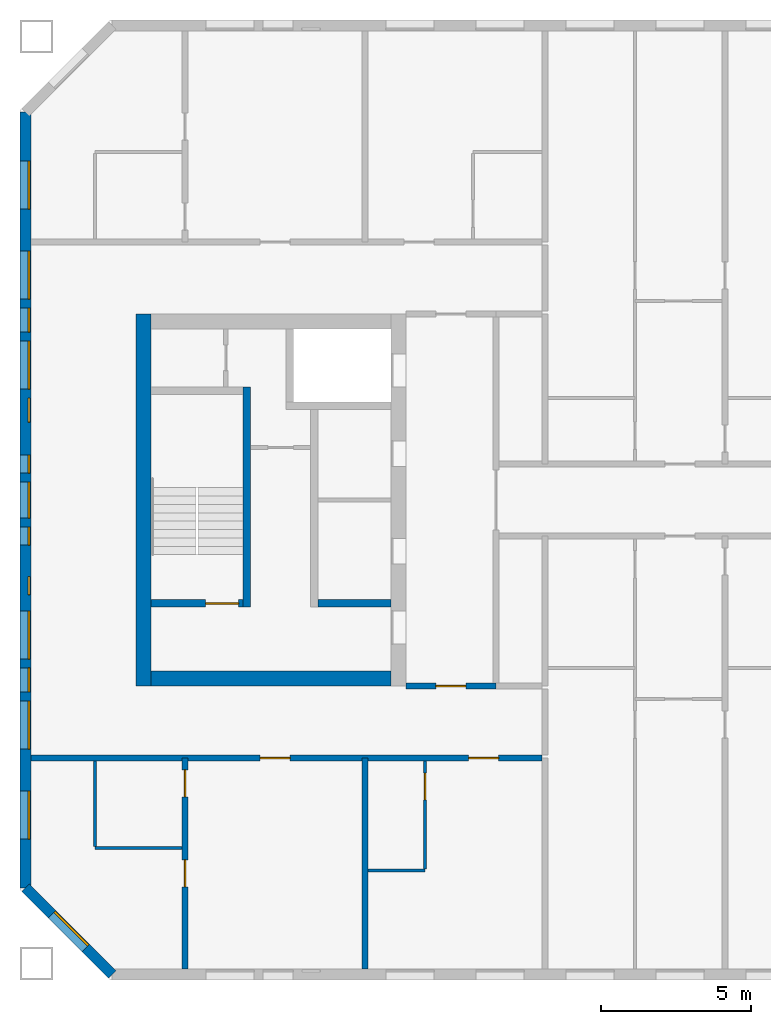
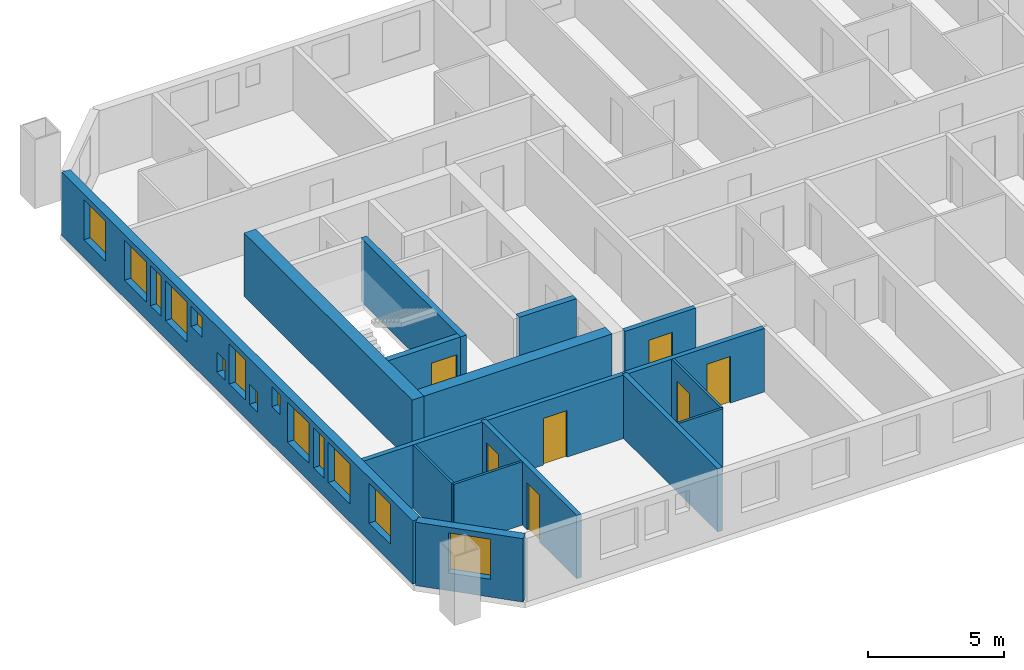
# One storey, part 2 of 15: 15 walls, 14 windows, 7 doors, 21 openings.
"""IFC4 building model written with IfcOpenShell, lengths in metres."""

from ifc_helpers import new_model, si_unit, direction, frame, frame_2d, origin, place, context, subcontext, project, spatial, rectangle, extrude, material, layer, layer_set, type_object, element, fill, save


model = new_model("IFC4")

# Units and contexts
model_context = context("Model", 3, precision=1e-05, world=origin(), true_north=direction((0.0, 1.0)))
body_context = subcontext(model_context, "Body", "Model", "MODEL_VIEW")
ifc_project = project(units=[si_unit("LENGTHUNIT", "METRE"), si_unit("AREAUNIT", "SQUARE_METRE"), si_unit("VOLUMEUNIT", "CUBIC_METRE"), si_unit("PLANEANGLEUNIT", "RADIAN"), si_unit("MASSUNIT", "GRAM", prefix="KILO")], contexts=[model_context])

# Site, building, storey
site_placement = place(None, origin())
site = spatial("IfcSite", under=ifc_project, at=site_placement, CompositionType="ELEMENT")
building_placement = place(site_placement, origin())
building = spatial("IfcBuilding", under=site, at=building_placement, Name="Tuart Gate Housing", CompositionType="ELEMENT")
storey_placement = place(building_placement, frame((0.0, 0.0, 154.699951171875)))
storey = spatial("IfcBuildingStorey", under=building, at=storey_placement, Name="L43", CompositionType="ELEMENT", Elevation=154.699951171875)

# Wall, opening, window
ifc_material_1 = material(Name="Brick", Category="masonry")
ifc_layer_1 = layer(ifc_material_1, 0.360107421875)
ifc_layer_set_1 = layer_set([ifc_layer_1], Name="Brick pier and spandrel wall 360")
wall_type_1 = type_object("IfcWallType", Name="Brick pier and spandrel wall 360", PredefinedType="STANDARD", material=ifc_layer_set_1)
wall_1_placement = place(storey_placement, frame((28.679931640625, 57.07470703125, 0.0), z_axis=(0.0, 0.0, 1.0), x_axis=(0.707106781187, -0.707106781187, 0.0)))
wall_1 = element("IfcWall", 1, at=wall_1_placement, inside=storey, type_object=wall_type_1, Name="External wall A-SW L43", PredefinedType="STANDARD", context=body_context, shape_type="SweptSolid", body=[
    extrude(rectangle(XDim=4.09375, YDim=0.360107421875, at=frame_2d((2.046875, 0.0))), origin(), (0.0, 0.0, 1.0), 2.85009765625),
])
opening_1_placement = place(wall_1_placement, frame((1.2470703125, 0.0, 0.800048828125)))
opening_1 = element("IfcOpeningElement", 2, at=opening_1_placement, cuts=wall_1, Name="Opening W1", PredefinedType="OPENING", context=body_context, shape_type="SweptSolid", body=[
    extrude(rectangle(XDim=1.60009765625, YDim=1.800048828125, at=frame_2d((0.800048828125, 0.89990234375))), frame((0.0, 0.18994140625, 0.0), z_axis=(0.0, -1.0, 0.0), x_axis=(1.0, 0.0, 0.0)), (0.0, 0.0, 1.0), 0.380126953125),
])
ifc_material_2 = material(Name="Aluminium frame with clear glass", Category="aluminium")
window_type_1 = type_object("IfcWindowType", Name="Punched window 1600 x 1800", PartitioningType="SINGLE_PANEL", PredefinedType="WINDOW", material=ifc_material_2)
window_1_placement = place(opening_1_placement, origin())
window_1 = element("IfcWindow", 3, at=window_1_placement, inside=storey, type_object=window_type_1, Name="Window W1", OverallHeight=1.800048828125, OverallWidth=1.60009765625, PartitioningType="SINGLE_PANEL", PredefinedType="WINDOW", context=body_context, shape_type="SweptSolid", body=[
    extrude(rectangle(XDim=1.60009765625, YDim=1.800048828125, at=frame_2d((0.800048828125, 0.89990234375))), frame((0.0, 0.150146484375, 0.0), z_axis=(0.0, -1.0, 0.0), x_axis=(1.0, 0.0, 0.0)), (0.0, 0.0, 1.0), 0.06005859375),
])
fill(opening_1, window_1)

# Wall, openings, windows
wall_2_placement = place(storey_placement, frame((28.679931640625, 82.92529296875, 0.0), z_axis=(0.0, 0.0, 1.0), x_axis=(0.0, -1.0, 0.0)))
wall_2 = element("IfcWall", 4, at=wall_2_placement, inside=storey, type_object=wall_type_1, Name="External wall A-W L43", PredefinedType="STANDARD", context=body_context, shape_type="SweptSolid", body=[
    extrude(rectangle(XDim=25.850830078125, YDim=0.360107421875, at=frame_2d((12.92529296875, 0.0))), origin(), (0.0, 0.0, 1.0), 2.85009765625),
])
opening_2_placement = place(wall_2_placement, frame((1.62548828125, 0.0, 0.800048828125)))
opening_2 = element("IfcOpeningElement", 5, at=opening_2_placement, cuts=wall_2, Name="Opening W1", PredefinedType="OPENING", context=body_context, shape_type="SweptSolid", body=[
    extrude(rectangle(XDim=1.60009765625, YDim=1.800048828125, at=frame_2d((0.800048828125, 0.89990234375))), frame((0.0, 0.18994140625, 0.0), z_axis=(0.0, -1.0, 0.0), x_axis=(1.0, 0.0, 0.0)), (0.0, 0.0, 1.0), 0.380126953125),
])
opening_3_placement = place(wall_2_placement, frame((4.62548828125, 0.0, 0.800048828125)))
opening_3 = element("IfcOpeningElement", 6, at=opening_3_placement, cuts=wall_2, Name="Opening W1", PredefinedType="OPENING", context=body_context, shape_type="SweptSolid", body=[
    extrude(rectangle(XDim=1.60009765625, YDim=1.800048828125, at=frame_2d((0.800048828125, 0.89990234375))), frame((0.0, 0.18994140625, 0.0), z_axis=(0.0, -1.0, 0.0), x_axis=(1.0, 0.0, 0.0)), (0.0, 0.0, 1.0), 0.380126953125),
])
opening_4_placement = place(wall_2_placement, frame((7.62548828125, 0.0, 0.800048828125)))
opening_4 = element("IfcOpeningElement", 7, at=opening_4_placement, cuts=wall_2, Name="Opening W1", PredefinedType="OPENING", context=body_context, shape_type="SweptSolid", body=[
    extrude(rectangle(XDim=1.60009765625, YDim=1.800048828125, at=frame_2d((0.800048828125, 0.89990234375))), frame((0.0, 0.18994140625, 0.0), z_axis=(0.0, -1.0, 0.0), x_axis=(1.0, 0.0, 0.0)), (0.0, 0.0, 1.0), 0.380126953125),
])
opening_5_placement = place(wall_2_placement, frame((6.525390625, 0.0, 0.800048828125)))
opening_5 = element("IfcOpeningElement", 8, at=opening_5_placement, cuts=wall_2, Name="Opening W1D", PredefinedType="OPENING", context=body_context, shape_type="SweptSolid", body=[
    extrude(rectangle(XDim=0.800048828125, YDim=1.800048828125, at=frame_2d((0.39990234375, 0.89990234375))), frame((0.0, 0.18994140625, 0.0), z_axis=(0.0, -1.0, 0.0), x_axis=(1.0, 0.0, 0.0)), (0.0, 0.0, 1.0), 0.380126953125),
])
opening_6_placement = place(wall_2_placement, frame((9.525390625, 0.0, 1.699951171875)))
opening_6 = element("IfcOpeningElement", 9, at=opening_6_placement, cuts=wall_2, Name="Opening W1V", PredefinedType="OPENING", context=body_context, shape_type="SweptSolid", body=[
    extrude(rectangle(XDim=0.800048828125, YDim=0.89990234375, at=frame_2d((0.39990234375, 0.449951171875))), frame((0.0, 0.18994140625, 0.0), z_axis=(0.0, -1.0, 0.0), x_axis=(1.0, 0.0, 0.0)), (0.0, 0.0, 1.0), 0.380126953125),
])
opening_7_placement = place(wall_2_placement, frame((16.62548828125, 0.0, 0.800048828125)))
opening_7 = element("IfcOpeningElement", 10, at=opening_7_placement, cuts=wall_2, Name="Opening W1", PredefinedType="OPENING", context=body_context, shape_type="SweptSolid", body=[
    extrude(rectangle(XDim=1.60009765625, YDim=1.800048828125, at=frame_2d((0.800048828125, 0.89990234375))), frame((0.0, 0.18994140625, 0.0), z_axis=(0.0, -1.0, 0.0), x_axis=(1.0, 0.0, 0.0)), (0.0, 0.0, 1.0), 0.380126953125),
])
opening_8_placement = place(wall_2_placement, frame((19.62548828125, 0.0, 0.800048828125)))
opening_8 = element("IfcOpeningElement", 11, at=opening_8_placement, cuts=wall_2, Name="Opening W1", PredefinedType="OPENING", context=body_context, shape_type="SweptSolid", body=[
    extrude(rectangle(XDim=1.60009765625, YDim=1.800048828125, at=frame_2d((0.800048828125, 0.89990234375))), frame((0.0, 0.18994140625, 0.0), z_axis=(0.0, -1.0, 0.0), x_axis=(1.0, 0.0, 0.0)), (0.0, 0.0, 1.0), 0.380126953125),
])
opening_9_placement = place(wall_2_placement, frame((22.62548828125, 0.0, 0.800048828125)))
opening_9 = element("IfcOpeningElement", 12, at=opening_9_placement, cuts=wall_2, Name="Opening W1", PredefinedType="OPENING", context=body_context, shape_type="SweptSolid", body=[
    extrude(rectangle(XDim=1.60009765625, YDim=1.800048828125, at=frame_2d((0.800048828125, 0.89990234375))), frame((0.0, 0.18994140625, 0.0), z_axis=(0.0, -1.0, 0.0), x_axis=(1.0, 0.0, 0.0)), (0.0, 0.0, 1.0), 0.380126953125),
])
opening_10_placement = place(wall_2_placement, frame((11.42529296875, 0.0, 0.800048828125)))
opening_10 = element("IfcOpeningElement", 13, at=opening_10_placement, cuts=wall_2, Name="Opening W1W", PredefinedType="OPENING", context=body_context, shape_type="SweptSolid", body=[
    extrude(rectangle(XDim=0.60009765625, YDim=0.89990234375, at=frame_2d((0.300048828125, 0.449951171875))), frame((0.0, 0.18994140625, 0.0), z_axis=(0.0, -1.0, 0.0), x_axis=(1.0, 0.0, 0.0)), (0.0, 0.0, 1.0), 0.380126953125),
])
opening_11_placement = place(wall_2_placement, frame((12.325439453125, 0.0, 0.800048828125)))
opening_11 = element("IfcOpeningElement", 14, at=opening_11_placement, cuts=wall_2, Name="Opening W1B", PredefinedType="OPENING", context=body_context, shape_type="SweptSolid", body=[
    extrude(rectangle(XDim=1.199951171875, YDim=1.800048828125, at=frame_2d((0.60009765625, 0.89990234375))), frame((0.0, 0.18994140625, 0.0), z_axis=(0.0, -1.0, 0.0), x_axis=(1.0, 0.0, 0.0)), (0.0, 0.0, 1.0), 0.380126953125),
])
opening_12_placement = place(wall_2_placement, frame((13.825439453125, 0.0, 0.800048828125)))
opening_12 = element("IfcOpeningElement", 15, at=opening_12_placement, cuts=wall_2, Name="Opening W1W", PredefinedType="OPENING", context=body_context, shape_type="SweptSolid", body=[
    extrude(rectangle(XDim=0.60009765625, YDim=0.89990234375, at=frame_2d((0.300048828125, 0.449951171875))), frame((0.0, 0.18994140625, 0.0), z_axis=(0.0, -1.0, 0.0), x_axis=(1.0, 0.0, 0.0)), (0.0, 0.0, 1.0), 0.380126953125),
])
opening_13_placement = place(wall_2_placement, frame((15.475341796875, 0.0, 1.699951171875)))
opening_13 = element("IfcOpeningElement", 16, at=opening_13_placement, cuts=wall_2, Name="Opening W1W", PredefinedType="OPENING", context=body_context, shape_type="SweptSolid", body=[
    extrude(rectangle(XDim=0.60009765625, YDim=0.89990234375, at=frame_2d((0.300048828125, 0.449951171875))), frame((0.0, 0.18994140625, 0.0), z_axis=(0.0, -1.0, 0.0), x_axis=(1.0, 0.0, 0.0)), (0.0, 0.0, 1.0), 0.380126953125),
])
opening_14_placement = place(wall_2_placement, frame((18.525390625, 0.0, 0.800048828125)))
opening_14 = element("IfcOpeningElement", 17, at=opening_14_placement, cuts=wall_2, Name="Opening W1D", PredefinedType="OPENING", context=body_context, shape_type="SweptSolid", body=[
    extrude(rectangle(XDim=0.800048828125, YDim=1.800048828125, at=frame_2d((0.39990234375, 0.89990234375))), frame((0.0, 0.18994140625, 0.0), z_axis=(0.0, -1.0, 0.0), x_axis=(1.0, 0.0, 0.0)), (0.0, 0.0, 1.0), 0.380126953125),
])
ifc_material_3 = material(Name="Aluminium frame with clear glass", Category="aluminium")
window_type_2 = type_object("IfcWindowType", Name="Punched window 1200 x 1800", PartitioningType="SINGLE_PANEL", PredefinedType="WINDOW", material=ifc_material_3)
window_2_placement = place(opening_11_placement, origin())
window_2 = element("IfcWindow", 18, at=window_2_placement, inside=storey, type_object=window_type_2, Name="Window W1B", OverallHeight=1.800048828125, OverallWidth=1.199951171875, PartitioningType="SINGLE_PANEL", PredefinedType="WINDOW", context=body_context, shape_type="SweptSolid", body=[
    extrude(rectangle(XDim=1.199951171875, YDim=1.800048828125, at=frame_2d((0.60009765625, 0.89990234375))), frame((0.0, 0.150146484375, 0.0), z_axis=(0.0, -1.0, 0.0), x_axis=(1.0, 0.0, 0.0)), (0.0, 0.0, 1.0), 0.06005859375),
])
fill(opening_11, window_2)
window_3_placement = place(opening_2_placement, origin())
window_3 = element("IfcWindow", 19, at=window_3_placement, inside=storey, type_object=window_type_1, Name="Window W1", OverallHeight=1.800048828125, OverallWidth=1.60009765625, PartitioningType="SINGLE_PANEL", PredefinedType="WINDOW", context=body_context, shape_type="SweptSolid", body=[
    extrude(rectangle(XDim=1.60009765625, YDim=1.800048828125, at=frame_2d((0.800048828125, 0.89990234375))), frame((0.0, 0.150146484375, 0.0), z_axis=(0.0, -1.0, 0.0), x_axis=(1.0, 0.0, 0.0)), (0.0, 0.0, 1.0), 0.06005859375),
])
fill(opening_2, window_3)
window_4_placement = place(opening_3_placement, origin())
window_4 = element("IfcWindow", 20, at=window_4_placement, inside=storey, type_object=window_type_1, Name="Window W1", OverallHeight=1.800048828125, OverallWidth=1.60009765625, PartitioningType="SINGLE_PANEL", PredefinedType="WINDOW", context=body_context, shape_type="SweptSolid", body=[
    extrude(rectangle(XDim=1.60009765625, YDim=1.800048828125, at=frame_2d((0.800048828125, 0.89990234375))), frame((0.0, 0.150146484375, 0.0), z_axis=(0.0, -1.0, 0.0), x_axis=(1.0, 0.0, 0.0)), (0.0, 0.0, 1.0), 0.06005859375),
])
fill(opening_3, window_4)
window_5_placement = place(opening_4_placement, origin())
window_5 = element("IfcWindow", 21, at=window_5_placement, inside=storey, type_object=window_type_1, Name="Window W1", OverallHeight=1.800048828125, OverallWidth=1.60009765625, PartitioningType="SINGLE_PANEL", PredefinedType="WINDOW", context=body_context, shape_type="SweptSolid", body=[
    extrude(rectangle(XDim=1.60009765625, YDim=1.800048828125, at=frame_2d((0.800048828125, 0.89990234375))), frame((0.0, 0.150146484375, 0.0), z_axis=(0.0, -1.0, 0.0), x_axis=(1.0, 0.0, 0.0)), (0.0, 0.0, 1.0), 0.06005859375),
])
fill(opening_4, window_5)
window_6_placement = place(opening_7_placement, origin())
window_6 = element("IfcWindow", 22, at=window_6_placement, inside=storey, type_object=window_type_1, Name="Window W1", OverallHeight=1.800048828125, OverallWidth=1.60009765625, PartitioningType="SINGLE_PANEL", PredefinedType="WINDOW", context=body_context, shape_type="SweptSolid", body=[
    extrude(rectangle(XDim=1.60009765625, YDim=1.800048828125, at=frame_2d((0.800048828125, 0.89990234375))), frame((0.0, 0.150146484375, 0.0), z_axis=(0.0, -1.0, 0.0), x_axis=(1.0, 0.0, 0.0)), (0.0, 0.0, 1.0), 0.06005859375),
])
fill(opening_7, window_6)
window_7_placement = place(opening_8_placement, origin())
window_7 = element("IfcWindow", 23, at=window_7_placement, inside=storey, type_object=window_type_1, Name="Window W1", OverallHeight=1.800048828125, OverallWidth=1.60009765625, PartitioningType="SINGLE_PANEL", PredefinedType="WINDOW", context=body_context, shape_type="SweptSolid", body=[
    extrude(rectangle(XDim=1.60009765625, YDim=1.800048828125, at=frame_2d((0.800048828125, 0.89990234375))), frame((0.0, 0.150146484375, 0.0), z_axis=(0.0, -1.0, 0.0), x_axis=(1.0, 0.0, 0.0)), (0.0, 0.0, 1.0), 0.06005859375),
])
fill(opening_8, window_7)
window_8_placement = place(opening_9_placement, origin())
window_8 = element("IfcWindow", 24, at=window_8_placement, inside=storey, type_object=window_type_1, Name="Window W1", OverallHeight=1.800048828125, OverallWidth=1.60009765625, PartitioningType="SINGLE_PANEL", PredefinedType="WINDOW", context=body_context, shape_type="SweptSolid", body=[
    extrude(rectangle(XDim=1.60009765625, YDim=1.800048828125, at=frame_2d((0.800048828125, 0.89990234375))), frame((0.0, 0.150146484375, 0.0), z_axis=(0.0, -1.0, 0.0), x_axis=(1.0, 0.0, 0.0)), (0.0, 0.0, 1.0), 0.06005859375),
])
fill(opening_9, window_8)
ifc_material_4 = material(Name="Aluminium frame with clear glass", Category="aluminium")
window_type_3 = type_object("IfcWindowType", Name="Punched window 600 x 900", PartitioningType="SINGLE_PANEL", PredefinedType="WINDOW", material=ifc_material_4)
window_9_placement = place(opening_10_placement, origin())
window_9 = element("IfcWindow", 25, at=window_9_placement, inside=storey, type_object=window_type_3, Name="Window W1W", OverallHeight=0.89990234375, OverallWidth=0.60009765625, PartitioningType="SINGLE_PANEL", PredefinedType="WINDOW", context=body_context, shape_type="SweptSolid", body=[
    extrude(rectangle(XDim=0.60009765625, YDim=0.89990234375, at=frame_2d((0.300048828125, 0.449951171875))), frame((0.0, 0.150146484375, 0.0), z_axis=(0.0, -1.0, 0.0), x_axis=(1.0, 0.0, 0.0)), (0.0, 0.0, 1.0), 0.06005859375),
])
fill(opening_10, window_9)
window_10_placement = place(opening_12_placement, origin())
window_10 = element("IfcWindow", 26, at=window_10_placement, inside=storey, type_object=window_type_3, Name="Window W1W", OverallHeight=0.89990234375, OverallWidth=0.60009765625, PartitioningType="SINGLE_PANEL", PredefinedType="WINDOW", context=body_context, shape_type="SweptSolid", body=[
    extrude(rectangle(XDim=0.60009765625, YDim=0.89990234375, at=frame_2d((0.300048828125, 0.449951171875))), frame((0.0, 0.150146484375, 0.0), z_axis=(0.0, -1.0, 0.0), x_axis=(1.0, 0.0, 0.0)), (0.0, 0.0, 1.0), 0.06005859375),
])
fill(opening_12, window_10)
window_11_placement = place(opening_13_placement, origin())
window_11 = element("IfcWindow", 27, at=window_11_placement, inside=storey, type_object=window_type_3, Name="Window W1W", OverallHeight=0.89990234375, OverallWidth=0.60009765625, PartitioningType="SINGLE_PANEL", PredefinedType="WINDOW", context=body_context, shape_type="SweptSolid", body=[
    extrude(rectangle(XDim=0.60009765625, YDim=0.89990234375, at=frame_2d((0.300048828125, 0.449951171875))), frame((0.0, 0.150146484375, 0.0), z_axis=(0.0, -1.0, 0.0), x_axis=(1.0, 0.0, 0.0)), (0.0, 0.0, 1.0), 0.06005859375),
])
fill(opening_13, window_11)
ifc_material_5 = material(Name="Aluminium frame with clear glass", Category="aluminium")
window_type_4 = type_object("IfcWindowType", Name="Punched window 800 x 1800", PartitioningType="SINGLE_PANEL", PredefinedType="WINDOW", material=ifc_material_5)
window_12_placement = place(opening_5_placement, origin())
window_12 = element("IfcWindow", 28, at=window_12_placement, inside=storey, type_object=window_type_4, Name="Window W1D", OverallHeight=1.800048828125, OverallWidth=0.800048828125, PartitioningType="SINGLE_PANEL", PredefinedType="WINDOW", context=body_context, shape_type="SweptSolid", body=[
    extrude(rectangle(XDim=0.800048828125, YDim=1.800048828125, at=frame_2d((0.39990234375, 0.89990234375))), frame((0.0, 0.150146484375, 0.0), z_axis=(0.0, -1.0, 0.0), x_axis=(1.0, 0.0, 0.0)), (0.0, 0.0, 1.0), 0.06005859375),
])
fill(opening_5, window_12)
window_13_placement = place(opening_14_placement, origin())
window_13 = element("IfcWindow", 29, at=window_13_placement, inside=storey, type_object=window_type_4, Name="Window W1D", OverallHeight=1.800048828125, OverallWidth=0.800048828125, PartitioningType="SINGLE_PANEL", PredefinedType="WINDOW", context=body_context, shape_type="SweptSolid", body=[
    extrude(rectangle(XDim=0.800048828125, YDim=1.800048828125, at=frame_2d((0.39990234375, 0.89990234375))), frame((0.0, 0.150146484375, 0.0), z_axis=(0.0, -1.0, 0.0), x_axis=(1.0, 0.0, 0.0)), (0.0, 0.0, 1.0), 0.06005859375),
])
fill(opening_14, window_13)
ifc_material_6 = material(Name="Aluminium frame with clear glass", Category="aluminium")
window_type_5 = type_object("IfcWindowType", Name="Punched window 800 x 900", PartitioningType="SINGLE_PANEL", PredefinedType="WINDOW", material=ifc_material_6)
window_14_placement = place(opening_6_placement, origin())
window_14 = element("IfcWindow", 30, at=window_14_placement, inside=storey, type_object=window_type_5, Name="Window W1V", OverallHeight=0.89990234375, OverallWidth=0.800048828125, PartitioningType="SINGLE_PANEL", PredefinedType="WINDOW", context=body_context, shape_type="SweptSolid", body=[
    extrude(rectangle(XDim=0.800048828125, YDim=0.89990234375, at=frame_2d((0.39990234375, 0.449951171875))), frame((0.0, 0.150146484375, 0.0), z_axis=(0.0, -1.0, 0.0), x_axis=(1.0, 0.0, 0.0)), (0.0, 0.0, 1.0), 0.06005859375),
])
fill(opening_6, window_14)

# Wall
ifc_material_7 = material(Name="Concrete C40", Category="concrete")
ifc_layer_2 = layer(ifc_material_7, 0.25)
ifc_layer_set_2 = layer_set([ifc_layer_2], Name="Core wall 250 C40")
wall_type_2 = type_object("IfcWallType", Name="Core wall 250 C40", PredefinedType="SHEAR", material=ifc_layer_set_2)
wall_3_placement = place(storey_placement, frame((40.860107421875, 66.550048828125, 0.0), z_axis=(0.0, 0.0, 1.0), x_axis=(-1.0, 0.0, 0.0)))
element("IfcWall", 31, at=wall_3_placement, inside=storey, type_object=wall_type_2, Name="Core wall AK.5", PredefinedType="SHEAR", context=body_context, shape_type="SweptSolid", body=[
    extrude(rectangle(XDim=2.425048828125, YDim=0.25, at=frame_2d((1.21240234375, 0.0))), origin(), (0.0, 0.0, 1.0), 2.85009765625),
])

# Wall, opening, door
wall_4_placement = place(storey_placement, frame((35.93505859375, 66.550048828125, 0.0), z_axis=(0.0, 0.0, 1.0), x_axis=(-1.0, 0.0, 0.0)))
wall_4 = element("IfcWall", 32, at=wall_4_placement, inside=storey, type_object=wall_type_2, Name="Core wall AK.6", PredefinedType="SHEAR", context=body_context, shape_type="SweptSolid", body=[
    extrude(rectangle(XDim=3.074951171875, YDim=0.25, at=frame_2d((1.53759765625, 0.0))), origin(), (0.0, 0.0, 1.0), 2.85009765625),
])
opening_15_placement = place(wall_4_placement, frame((0.14990234375, 0.0, 0.0)))
opening_15 = element("IfcOpeningElement", 33, at=opening_15_placement, cuts=wall_4, Name="Opening D1551", PredefinedType="OPENING", context=body_context, shape_type="SweptSolid", body=[
    extrude(rectangle(XDim=1.10009765625, YDim=2.10009765625, at=frame_2d((0.550048828125, 1.050048828125))), frame((0.0, 0.135009765625, 0.0), z_axis=(0.0, -1.0, 0.0), x_axis=(1.0, 0.0, 0.0)), (0.0, 0.0, 1.0), 0.27001953125),
])
ifc_material_8 = material(Name="Steel fire door", Category="steel")
door_type_1 = type_object("IfcDoorType", Name="Stair door 1100 x 2100 RH", OperationType="SINGLE_SWING_RIGHT", PredefinedType="DOOR", material=ifc_material_8)
door_1_placement = place(opening_15_placement, frame((1.10009765625, 0.0, 0.0), z_axis=(0.0, 0.0, 1.0), x_axis=(-1.0, 0.0, 0.0)))
door_1 = element("IfcDoor", 34, at=door_1_placement, inside=storey, type_object=door_type_1, Name="Stair door AK.SD", OperationType="SINGLE_SWING_RIGHT", OverallHeight=2.10009765625, OverallWidth=1.10009765625, PredefinedType="DOOR", context=body_context, shape_type="SweptSolid", body=[
    extrude(rectangle(XDim=1.10009765625, YDim=2.10009765625, at=frame_2d((0.550048828125, 1.050048828125))), frame((0.0, 0.025146484375, 0.0), z_axis=(0.0, -1.0, 0.0), x_axis=(1.0, 0.0, 0.0)), (0.0, 0.0, 1.0), 0.050048828125),
])
fill(opening_15, door_1)

# Walls
wall_5_placement = place(storey_placement, frame((36.06005859375, 73.77490234375, 0.0), z_axis=(0.0, 0.0, 1.0), x_axis=(0.0, -1.0, 0.0)))
element("IfcWall", 35, at=wall_5_placement, inside=storey, type_object=wall_type_2, Name="Core wall AK.9", PredefinedType="SHEAR", context=body_context, shape_type="SweptSolid", body=[
    extrude(rectangle(XDim=7.349853515625, YDim=0.25, at=frame_2d((3.6748046875, 0.0))), origin(), (0.0, 0.0, 1.0), 2.85009765625),
])
ifc_material_9 = material(Name="Concrete C40", Category="concrete")
ifc_layer_3 = layer(ifc_material_9, 0.5)
ifc_layer_set_3 = layer_set([ifc_layer_3], Name="Core wall 500 C40")
wall_type_3 = type_object("IfcWallType", Name="Core wall 500 C40", PredefinedType="SHEAR", material=ifc_layer_set_3)
wall_6_placement = place(storey_placement, frame((32.610107421875, 76.199951171875, 0.0), z_axis=(0.0, 0.0, 1.0), x_axis=(0.0, -1.0, 0.0)))
element("IfcWall", 36, at=wall_6_placement, inside=storey, type_object=wall_type_3, Name="Core wall AK back", PredefinedType="SHEAR", context=body_context, shape_type="SweptSolid", body=[
    extrude(rectangle(XDim=12.39990234375, YDim=0.5, at=frame_2d((6.199951171875, 0.0))), origin(), (0.0, 0.0, 1.0), 2.85009765625),
])
wall_7_placement = place(storey_placement, frame((40.860107421875, 64.050048828125, 0.0), z_axis=(0.0, 0.0, 1.0), x_axis=(-1.0, 0.0, 0.0)))
element("IfcWall", 37, at=wall_7_placement, inside=storey, type_object=wall_type_3, Name="Core wall AK north", PredefinedType="SHEAR", context=body_context, shape_type="SweptSolid", body=[
    extrude(rectangle(XDim=8.0, YDim=0.5, at=frame_2d((4.0, 0.0))), origin(), (0.0, 0.0, 1.0), 2.85009765625),
])

# Wall, openings, doors
ifc_material_10 = material(Name="Concrete masonry 15 MPa", Category="masonry")
ifc_layer_4 = layer(ifc_material_10, 0.199951171875)
ifc_layer_set_4 = layer_set([ifc_layer_4], Name="Corridor wall masonry 200")
wall_type_4 = type_object("IfcWallType", Name="Corridor wall masonry 200", PredefinedType="PARTITIONING", material=ifc_layer_set_4)
wall_8_placement = place(storey_placement, frame((28.860107421875, 61.39990234375, 0.0), z_axis=(0.0, 0.0, 1.0), x_axis=(1.0, 0.0, 0.0)))
wall_8 = element("IfcWall", 38, at=wall_8_placement, inside=storey, type_object=wall_type_4, Name="Corridor wall masonry 200", PredefinedType="PARTITIONING", context=body_context, shape_type="SweptSolid", body=[
    extrude(rectangle(XDim=17.039794921875, YDim=0.199951171875, at=frame_2d((8.52001953125, 0.0))), origin(), (0.0, 0.0, 1.0), 2.85009765625),
])
opening_16_placement = place(wall_8_placement, frame((14.590087890625, 0.0, 0.0)))
opening_16 = element("IfcOpeningElement", 39, at=opening_16_placement, cuts=wall_8, Name="Opening D1564", PredefinedType="OPENING", context=body_context, shape_type="SweptSolid", body=[
    extrude(rectangle(XDim=1.0, YDim=2.10009765625, at=frame_2d((0.5, 1.050048828125))), frame((0.0, 0.10986328125, 0.0), z_axis=(0.0, -1.0, 0.0), x_axis=(1.0, 0.0, 0.0)), (0.0, 0.0, 1.0), 0.219970703125),
])
opening_17_placement = place(wall_8_placement, frame((7.639892578125, 0.0, 0.0)))
opening_17 = element("IfcOpeningElement", 40, at=opening_17_placement, cuts=wall_8, Name="Opening D1565", PredefinedType="OPENING", context=body_context, shape_type="SweptSolid", body=[
    extrude(rectangle(XDim=1.0, YDim=2.10009765625, at=frame_2d((0.5, 1.050048828125))), frame((0.0, 0.10986328125, 0.0), z_axis=(0.0, -1.0, 0.0), x_axis=(1.0, 0.0, 0.0)), (0.0, 0.0, 1.0), 0.219970703125),
])
ifc_material_11 = material(Name="Timber door leaf in steel frame", Category="steel")
door_type_2 = type_object("IfcDoorType", Name="Flat entrance door 1000 RH", OperationType="SINGLE_SWING_RIGHT", PredefinedType="DOOR", material=ifc_material_11)
door_2_placement = place(opening_16_placement, frame((1.0, 0.0, 0.0), z_axis=(0.0, 0.0, 1.0), x_axis=(-1.0, 0.0, 0.0)))
door_2 = element("IfcDoor", 41, at=door_2_placement, inside=storey, type_object=door_type_2, Name="Flat entrance door", OperationType="SINGLE_SWING_RIGHT", OverallHeight=2.10009765625, OverallWidth=1.0, PredefinedType="DOOR", context=body_context, shape_type="SweptSolid", body=[
    extrude(rectangle(XDim=1.0, YDim=2.10009765625, at=frame_2d((0.5, 1.050048828125))), frame((0.0, 0.025146484375, 0.0), z_axis=(0.0, -1.0, 0.0), x_axis=(1.0, 0.0, 0.0)), (0.0, 0.0, 1.0), 0.050048828125),
])
fill(opening_16, door_2)
door_3_placement = place(opening_17_placement, frame((1.0, 0.0, 0.0), z_axis=(0.0, 0.0, 1.0), x_axis=(-1.0, 0.0, 0.0)))
door_3 = element("IfcDoor", 42, at=door_3_placement, inside=storey, type_object=door_type_2, Name="Flat entrance door", OperationType="SINGLE_SWING_RIGHT", OverallHeight=2.10009765625, OverallWidth=1.0, PredefinedType="DOOR", context=body_context, shape_type="SweptSolid", body=[
    extrude(rectangle(XDim=1.0, YDim=2.10009765625, at=frame_2d((0.5, 1.050048828125))), frame((0.0, 0.025146484375, 0.0), z_axis=(0.0, -1.0, 0.0), x_axis=(1.0, 0.0, 0.0)), (0.0, 0.0, 1.0), 0.050048828125),
])
fill(opening_17, door_3)

# Wall, opening, door
ifc_material_12 = material(Name="Concrete masonry 15 MPa", Category="masonry")
ifc_layer_5 = layer(ifc_material_12, 0.199951171875)
ifc_layer_set_5 = layer_set([ifc_layer_5], Name="Enclosure wall masonry 200")
wall_type_5 = type_object("IfcWallType", Name="Enclosure wall masonry 200", PredefinedType="PARTITIONING", material=ifc_layer_set_5)
wall_9_placement = place(storey_placement, frame((41.360107421875, 63.800048828125, 0.0), z_axis=(0.0, 0.0, 1.0), x_axis=(1.0, 0.0, 0.0)))
wall_9 = element("IfcWall", 43, at=wall_9_placement, inside=storey, type_object=wall_type_5, Name="Enclosure wall masonry 200", PredefinedType="PARTITIONING", context=body_context, shape_type="SweptSolid", body=[
    extrude(rectangle(XDim=3.0, YDim=0.199951171875, at=frame_2d((1.5, 0.0))), origin(), (0.0, 0.0, 1.0), 2.85009765625),
])
opening_18_placement = place(wall_9_placement, frame((1.0, 0.0, 0.0)))
opening_18 = element("IfcOpeningElement", 44, at=opening_18_placement, cuts=wall_9, Name="Opening D1552", PredefinedType="OPENING", context=body_context, shape_type="SweptSolid", body=[
    extrude(rectangle(XDim=1.0, YDim=2.10009765625, at=frame_2d((0.5, 1.050048828125))), frame((0.0, 0.10986328125, 0.0), z_axis=(0.0, -1.0, 0.0), x_axis=(1.0, 0.0, 0.0)), (0.0, 0.0, 1.0), 0.219970703125),
])
ifc_material_13 = material(Name="Timber door leaf in steel frame", Category="steel")
door_type_3 = type_object("IfcDoorType", Name="Fire door 1000", OperationType="SINGLE_SWING_LEFT", PredefinedType="DOOR", material=ifc_material_13)
door_4_placement = place(opening_18_placement, frame((1.0, 0.0, 0.0), z_axis=(0.0, 0.0, 1.0), x_axis=(-1.0, 0.0, 0.0)))
door_4 = element("IfcDoor", 45, at=door_4_placement, inside=storey, type_object=door_type_3, Name="Fire door", OperationType="SINGLE_SWING_LEFT", OverallHeight=2.10009765625, OverallWidth=1.0, PredefinedType="DOOR", context=body_context, shape_type="SweptSolid", body=[
    extrude(rectangle(XDim=1.0, YDim=2.10009765625, at=frame_2d((0.5, 1.050048828125))), frame((0.0, 0.025146484375, 0.0), z_axis=(0.0, -1.0, 0.0), x_axis=(1.0, 0.0, 0.0)), (0.0, 0.0, 1.0), 0.050048828125),
])
fill(opening_18, door_4)

# Walls
ifc_material_14 = material(Name="Gypsum board on steel studs", Category="steel")
ifc_layer_6 = layer(ifc_material_14, 0.10009765625)
ifc_layer_set_6 = layer_set([ifc_layer_6], Name="Partition 100")
wall_type_6 = type_object("IfcWallType", Name="Partition 100", PredefinedType="PARTITIONING", material=ifc_layer_set_6)
wall_10_placement = place(storey_placement, frame((40.10009765625, 57.64990234375, 0.0), z_axis=(0.0, 0.0, 1.0), x_axis=(1.0, 0.0, 0.0)))
element("IfcWall", 46, at=wall_10_placement, inside=storey, type_object=wall_type_6, Name="Partition 100", PredefinedType="PARTITIONING", context=body_context, shape_type="SweptSolid", body=[
    extrude(rectangle(XDim=1.89990234375, YDim=0.10009765625, at=frame_2d((0.949951171875, 0.0))), origin(), (0.0, 0.0, 1.0), 2.85009765625),
])
wall_11_placement = place(storey_placement, frame((31.0, 58.39990234375, 0.0), z_axis=(0.0, 0.0, 1.0), x_axis=(1.0, 0.0, 0.0)))
element("IfcWall", 47, at=wall_11_placement, inside=storey, type_object=wall_type_6, Name="Partition 100", PredefinedType="PARTITIONING", context=body_context, shape_type="SweptSolid", body=[
    extrude(rectangle(XDim=2.89990234375, YDim=0.10009765625, at=frame_2d((1.449951171875, 0.0))), origin(), (0.0, 0.0, 1.0), 2.85009765625),
])
wall_12_placement = place(storey_placement, frame((31.0, 58.449951171875, 0.0), z_axis=(0.0, 0.0, 1.0), x_axis=(0.0, 1.0, 0.0)))
element("IfcWall", 48, at=wall_12_placement, inside=storey, type_object=wall_type_6, Name="Partition 100", PredefinedType="PARTITIONING", context=body_context, shape_type="SweptSolid", body=[
    extrude(rectangle(XDim=2.85009765625, YDim=0.10009765625, at=frame_2d((1.425048828125, 0.0))), origin(), (0.0, 0.0, 1.0), 2.85009765625),
])

# Wall, opening, door
wall_13_placement = place(storey_placement, frame((42.0, 57.699951171875, 0.0), z_axis=(0.0, 0.0, 1.0), x_axis=(0.0, 1.0, 0.0)))
wall_13 = element("IfcWall", 49, at=wall_13_placement, inside=storey, type_object=wall_type_6, Name="Partition 100", PredefinedType="PARTITIONING", context=body_context, shape_type="SweptSolid", body=[
    extrude(rectangle(XDim=3.60009765625, YDim=0.10009765625, at=frame_2d((1.800048828125, 0.0))), origin(), (0.0, 0.0, 1.0), 2.85009765625),
])
opening_19_placement = place(wall_13_placement, frame((2.300048828125, 0.0, 0.0)))
opening_19 = element("IfcOpeningElement", 50, at=opening_19_placement, cuts=wall_13, Name="Opening D1568", PredefinedType="OPENING", context=body_context, shape_type="SweptSolid", body=[
    extrude(rectangle(XDim=0.89990234375, YDim=2.10009765625, at=frame_2d((0.449951171875, 1.050048828125))), frame((0.0, 0.06005859375, 0.0), z_axis=(0.0, -1.0, 0.0), x_axis=(1.0, 0.0, 0.0)), (0.0, 0.0, 1.0), 0.1201171875),
])
ifc_material_15 = material(Name="Timber door leaf in steel frame", Category="steel")
door_type_4 = type_object("IfcDoorType", Name="Bathroom door 900 RH", OperationType="SINGLE_SWING_RIGHT", PredefinedType="DOOR", material=ifc_material_15)
door_5_placement = place(opening_19_placement, origin())
door_5 = element("IfcDoor", 51, at=door_5_placement, inside=storey, type_object=door_type_4, Name="Bathroom door", OperationType="SINGLE_SWING_RIGHT", OverallHeight=2.10009765625, OverallWidth=0.89990234375, PredefinedType="DOOR", context=body_context, shape_type="SweptSolid", body=[
    extrude(rectangle(XDim=0.89990234375, YDim=2.10009765625, at=frame_2d((0.449951171875, 1.050048828125))), frame((0.0, 0.02490234375, 0.0), z_axis=(0.0, -1.0, 0.0), x_axis=(1.0, 0.0, 0.0)), (0.0, 0.0, 1.0), 0.050048828125),
])
fill(opening_19, door_5)

# Wall, openings, doors
ifc_material_16 = material(Name="Concrete C40", Category="concrete")
ifc_layer_7 = layer(ifc_material_16, 0.199951171875)
ifc_layer_set_7 = layer_set([ifc_layer_7], Name="Party wall concrete C40 200")
wall_type_7 = type_object("IfcWallType", Name="Party wall concrete C40 200", PredefinedType="SOLIDWALL", material=ifc_layer_set_7)
wall_14_placement = place(storey_placement, frame((34.0, 54.360107421875, 0.0), z_axis=(0.0, 0.0, 1.0), x_axis=(0.0, 1.0, 0.0)))
wall_14 = element("IfcWall", 52, at=wall_14_placement, inside=storey, type_object=wall_type_7, Name="Party wall concrete C40 200", PredefinedType="SOLIDWALL", context=body_context, shape_type="SweptSolid", body=[
    extrude(rectangle(XDim=7.039794921875, YDim=0.199951171875, at=frame_2d((3.52001953125, 0.0))), origin(), (0.0, 0.0, 1.0), 2.85009765625),
])
opening_20_placement = place(wall_14_placement, frame((2.739990234375, 0.0, 0.0)))
opening_20 = element("IfcOpeningElement", 53, at=opening_20_placement, cuts=wall_14, Name="Opening D1572", PredefinedType="OPENING", context=body_context, shape_type="SweptSolid", body=[
    extrude(rectangle(XDim=0.89990234375, YDim=2.10009765625, at=frame_2d((0.449951171875, 1.050048828125))), frame((0.0, 0.10986328125, 0.0), z_axis=(0.0, -1.0, 0.0), x_axis=(1.0, 0.0, 0.0)), (0.0, 0.0, 1.0), 0.219970703125),
])
opening_21_placement = place(wall_14_placement, frame((5.739990234375, 0.0, 0.0)))
opening_21 = element("IfcOpeningElement", 54, at=opening_21_placement, cuts=wall_14, Name="Opening D1571", PredefinedType="OPENING", context=body_context, shape_type="SweptSolid", body=[
    extrude(rectangle(XDim=0.89990234375, YDim=2.10009765625, at=frame_2d((0.449951171875, 1.050048828125))), frame((0.0, 0.10986328125, 0.0), z_axis=(0.0, -1.0, 0.0), x_axis=(1.0, 0.0, 0.0)), (0.0, 0.0, 1.0), 0.219970703125),
])
door_6_placement = place(opening_21_placement, origin())
door_6 = element("IfcDoor", 55, at=door_6_placement, inside=storey, type_object=door_type_4, Name="Bathroom door", OperationType="SINGLE_SWING_RIGHT", OverallHeight=2.10009765625, OverallWidth=0.89990234375, PredefinedType="DOOR", context=body_context, shape_type="SweptSolid", body=[
    extrude(rectangle(XDim=0.89990234375, YDim=2.10009765625, at=frame_2d((0.449951171875, 1.050048828125))), frame((0.0, 0.02490234375, 0.0), z_axis=(0.0, -1.0, 0.0), x_axis=(1.0, 0.0, 0.0)), (0.0, 0.0, 1.0), 0.050048828125),
])
fill(opening_21, door_6)
ifc_material_17 = material(Name="Timber door leaf in steel frame", Category="steel")
door_type_5 = type_object("IfcDoorType", Name="Internal door 900 RH", OperationType="SINGLE_SWING_RIGHT", PredefinedType="DOOR", material=ifc_material_17)
door_7_placement = place(opening_20_placement, origin())
door_7 = element("IfcDoor", 56, at=door_7_placement, inside=storey, type_object=door_type_5, Name="Internal door", OperationType="SINGLE_SWING_RIGHT", OverallHeight=2.10009765625, OverallWidth=0.89990234375, PredefinedType="DOOR", context=body_context, shape_type="SweptSolid", body=[
    extrude(rectangle(XDim=0.89990234375, YDim=2.10009765625, at=frame_2d((0.449951171875, 1.050048828125))), frame((0.0, 0.02490234375, 0.0), z_axis=(0.0, -1.0, 0.0), x_axis=(1.0, 0.0, 0.0)), (0.0, 0.0, 1.0), 0.050048828125),
])
fill(opening_20, door_7)

# Wall
wall_15_placement = place(storey_placement, frame((40.0, 54.360107421875, 0.0), z_axis=(0.0, 0.0, 1.0), x_axis=(0.0, 1.0, 0.0)))
element("IfcWall", 57, at=wall_15_placement, inside=storey, type_object=wall_type_7, Name="Party wall concrete C40 200", PredefinedType="SOLIDWALL", context=body_context, shape_type="SweptSolid", body=[
    extrude(rectangle(XDim=7.039794921875, YDim=0.199951171875, at=frame_2d((3.52001953125, 0.0))), origin(), (0.0, 0.0, 1.0), 2.85009765625),
])

save(model, "model.ifc")
